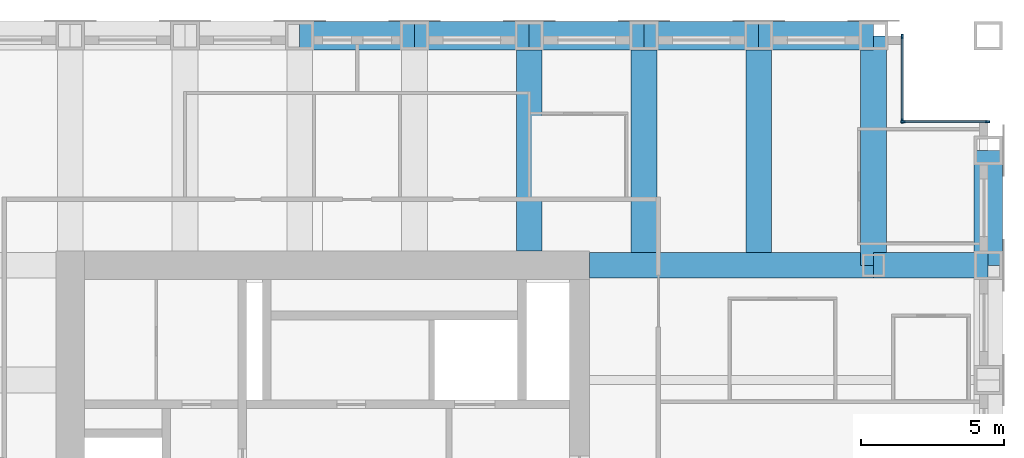
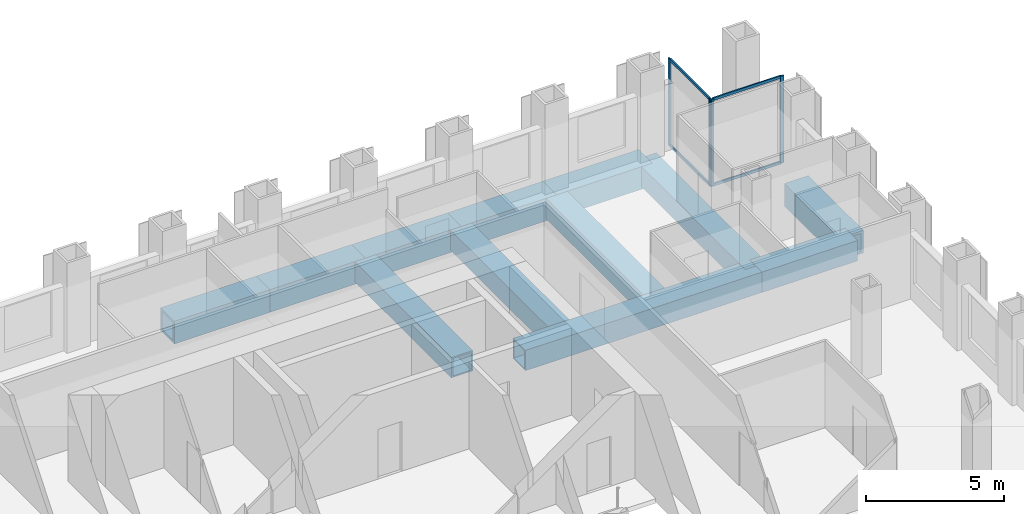
# One storey, part 6 of 13: 12 beams, 8 members, 2 elements without a shape of their own.
"""IFC4 building model written with IfcOpenShell, lengths in metres."""

from ifc_helpers import new_model, si_unit, direction, frame, origin, origin_2d, place, context, subcontext, project, spatial, rectangle, hollow_rectangle, extrude, material, material_profile, profile_set, type_object, element, aggregate, save


model = new_model("IFC4")

# Units and contexts
model_context = context("Model", 3, precision=1e-05, world=origin(), true_north=direction((0.0, 1.0)))
body_context = subcontext(model_context, "Body", "Model", "MODEL_VIEW")
ifc_project = project(units=[si_unit("LENGTHUNIT", "METRE"), si_unit("AREAUNIT", "SQUARE_METRE"), si_unit("VOLUMEUNIT", "CUBIC_METRE"), si_unit("PLANEANGLEUNIT", "RADIAN"), si_unit("MASSUNIT", "GRAM", prefix="KILO")], contexts=[model_context])

# Site, building, storey
site_placement = place(None, origin())
site = spatial("IfcSite", under=ifc_project, at=site_placement, CompositionType="ELEMENT")
building_placement = place(site_placement, origin())
building = spatial("IfcBuilding", under=site, at=building_placement, Name="Rimbunsela Tower", CompositionType="ELEMENT")
storey_placement = place(building_placement, frame((0.0, 0.0, 254.199951171875)))
storey = spatial("IfcBuildingStorey", under=building, at=storey_placement, Name="L61", CompositionType="ELEMENT", Elevation=254.199951171875)

# Beams
ifc_material_1 = material(Name="Steel BJ 55 (fy 410 MPa)", Category="steel")
ifc_material_profile_1 = material_profile(ifc_material_1, hollow_rectangle(XDim=1.0, YDim=1.0, WallThickness=0.10009765625, at=origin_2d()), Name="BOX 1000x1000x100")
ifc_profile_set_1 = profile_set([ifc_material_profile_1], Name="Steel BJ 55 (fy 410 MPa)")
beam_type_1 = type_object("IfcBeamType", Name="Beam BOX 1000x1000x100", PredefinedType="BEAM", material=ifc_profile_set_1)
for number, where, z_axis, x_axis, name in (
    (1, (26.0, 44.0, -0.64990234375), (1.0, 0.0, 0.0), (0.0, 1.0, 0.0), "Beam B3 L61"),
    (2, (30.0, 44.0, -0.64990234375), (1.0, 0.0, 0.0), (0.0, 1.0, 0.0), "Beam B3 L61"),
    (3, (34.0, 44.0, -0.64990234375), (1.0, 0.0, 0.0), (0.0, 1.0, 0.0), "Beam B3 L61"),
    (4, (38.0, 44.0, -0.64990234375), (1.0, 0.0, 0.0), (0.0, 1.0, 0.0), "Beam B3 L61"),
    (5, (42.0, 44.0, -0.64990234375), (1.0, 0.0, 0.0), (0.0, 1.0, 0.0), "Beam B3 L61"),
    (6, (50.0, 36.0, -0.64990234375), (0.0, 1.0, 0.0), (-1.0, 0.0, 0.0), "Beam B3 L61"),
):
    element("IfcBeam", number, at=place(storey_placement, frame(where, z_axis=z_axis, x_axis=x_axis)), inside=storey, type_object=beam_type_1, Name=name, PredefinedType="BEAM", context=body_context, shape_type="SweptSolid", body=[
        extrude(hollow_rectangle(XDim=1.0, YDim=1.0, WallThickness=0.10009765625, at=origin_2d()), origin(), (0.0, 0.0, 1.0), 4.0),
    ])
ifc_material_2 = material(Name="Steel BJ 55 (fy 410 MPa)", Category="steel")
ifc_material_profile_2 = material_profile(ifc_material_2, hollow_rectangle(XDim=0.89990234375, YDim=0.89990234375, WallThickness=0.06005859375, at=origin_2d()), Name="BOX 900x900x60")
ifc_profile_set_2 = profile_set([ifc_material_profile_2], Name="Steel BJ 55 (fy 410 MPa)")
beam_type_2 = type_object("IfcBeamType", Name="Beam BOX 900x900x60", PredefinedType="BEAM", material=ifc_profile_set_2)
beam_1_placement = place(storey_placement, frame((34.0, 36.5, -0.599853515625), z_axis=(0.0, 1.0, 0.0), x_axis=(-1.0, 0.0, 0.0)))
element("IfcBeam", 7, at=beam_1_placement, inside=storey, type_object=beam_type_2, Name="Beam B1 L61", PredefinedType="BEAM", context=body_context, shape_type="SweptSolid", body=[
    extrude(hollow_rectangle(XDim=0.89990234375, YDim=0.89990234375, WallThickness=0.06005859375, at=origin_2d()), origin(), (0.0, 0.0, 1.0), 7.5),
])
beam_2_placement = place(storey_placement, frame((36.10009765625, 36.0, -0.599853515625), z_axis=(1.0, 0.0, 0.0), x_axis=(0.0, 1.0, 0.0)))
element("IfcBeam", 8, at=beam_2_placement, inside=storey, type_object=beam_type_2, Name="Beam B1 L61", PredefinedType="BEAM", context=body_context, shape_type="SweptSolid", body=[
    extrude(hollow_rectangle(XDim=0.89990234375, YDim=0.89990234375, WallThickness=0.06005859375, at=origin_2d()), origin(), (0.0, 0.0, 1.0), 9.89990234375),
])
for number, where, z_axis, x_axis, name in (
    (9, (38.0, 36.449951171875, -0.599853515625), (0.0, 1.0, 0.0), (-1.0, 0.0, 0.0), "Beam B1 L61"),
    (10, (42.0, 36.449951171875, -0.599853515625), (0.0, 1.0, 0.0), (-1.0, 0.0, 0.0), "Beam B1 L61"),
):
    element("IfcBeam", number, at=place(storey_placement, frame(where, z_axis=z_axis, x_axis=x_axis)), inside=storey, type_object=beam_type_2, Name=name, PredefinedType="BEAM", context=body_context, shape_type="SweptSolid", body=[
        extrude(hollow_rectangle(XDim=0.89990234375, YDim=0.89990234375, WallThickness=0.06005859375, at=origin_2d()), origin(), (0.0, 0.0, 1.0), 7.550048828125),
    ])
beam_3_placement = place(storey_placement, frame((46.0, 36.0, -0.599853515625), z_axis=(0.0, 1.0, 0.0), x_axis=(-1.0, 0.0, 0.0)))
element("IfcBeam", 11, at=beam_3_placement, inside=storey, type_object=beam_type_2, Name="Beam B1 L61", PredefinedType="BEAM", context=body_context, shape_type="SweptSolid", body=[
    extrude(hollow_rectangle(XDim=0.89990234375, YDim=0.89990234375, WallThickness=0.06005859375, at=origin_2d()), origin(), (0.0, 0.0, 1.0), 8.0),
])
beam_4_placement = place(storey_placement, frame((46.0, 36.0, -0.599853515625), z_axis=(1.0, 0.0, 0.0), x_axis=(0.0, 1.0, 0.0)))
element("IfcBeam", 12, at=beam_4_placement, inside=storey, type_object=beam_type_2, Name="Beam B1 L61", PredefinedType="BEAM", context=body_context, shape_type="SweptSolid", body=[
    extrude(hollow_rectangle(XDim=0.89990234375, YDim=0.89990234375, WallThickness=0.06005859375, at=origin_2d()), origin(), (0.0, 0.0, 1.0), 4.0),
])

# Curtain wall, members
ifc_material_3 = material(Name="Aluminium curtain wall", Category="aluminium")
curtain_wall_type = type_object("IfcCurtainWallType", Name="Corner glazing", PredefinedType="USERDEFINED", material=ifc_material_3)
curtain_wall_1_placement = place(storey_placement, origin())
curtain_wall_1 = element("IfcCurtainWall", 13, at=curtain_wall_1_placement, inside=storey, type_object=curtain_wall_type, Name="Corner glazing L61", ObjectType="CORNER GLAZING", PredefinedType="USERDEFINED")
ifc_material_4 = material(Name="Aluminium mullion", Category="aluminium")
ifc_material_profile_3 = material_profile(ifc_material_4, rectangle(XDim=0.06005859375, YDim=0.159912109375, at=origin_2d()), Name="Mullion 60x160")
ifc_profile_set_3 = profile_set([ifc_material_profile_3], Name="Aluminium mullion")
member_type_1 = type_object("IfcMemberType", Name="Curtain wall mullion 60x160", PredefinedType="MULLION", material=ifc_profile_set_3)
member_1_placement = place(storey_placement, frame((49.969970703125, 41.0, 0.0), z_axis=(0.0, 0.0, 1.0), x_axis=(0.0, -1.0, 0.0)))
member_1 = element("IfcMember", 14, at=member_1_placement, type_object=member_type_1, Name="CW5 mullion 1", PredefinedType="MULLION", context=body_context, shape_type="SweptSolid", body=[
    extrude(rectangle(XDim=0.06005859375, YDim=0.159912109375, at=origin_2d()), origin(), (0.0, 0.0, 1.0), 3.85009765625),
])
member_2_placement = place(storey_placement, frame((47.030029296875, 41.0, 0.0), z_axis=(0.0, 0.0, 1.0), x_axis=(0.0, -1.0, 0.0)))
member_2 = element("IfcMember", 15, at=member_2_placement, type_object=member_type_1, Name="CW5 mullion 2", PredefinedType="MULLION", context=body_context, shape_type="SweptSolid", body=[
    extrude(rectangle(XDim=0.06005859375, YDim=0.159912109375, at=origin_2d()), origin(), (0.0, 0.0, 1.0), 3.85009765625),
])

curtain_wall_2_placement = place(storey_placement, origin())
curtain_wall_2 = element("IfcCurtainWall", 16, at=curtain_wall_2_placement, inside=storey, type_object=curtain_wall_type, Name="Corner glazing L61", ObjectType="CORNER GLAZING", PredefinedType="USERDEFINED")
member_3_placement = place(storey_placement, frame((47.0, 41.030029296875, 0.0), z_axis=(0.0, 0.0, 1.0), x_axis=(-1.0, 0.0, 0.0)))
member_3 = element("IfcMember", 17, at=member_3_placement, type_object=member_type_1, Name="CW5 mullion 1", PredefinedType="MULLION", context=body_context, shape_type="SweptSolid", body=[
    extrude(rectangle(XDim=0.06005859375, YDim=0.159912109375, at=origin_2d()), origin(), (0.0, 0.0, 1.0), 3.85009765625),
])
member_4_placement = place(storey_placement, frame((47.0, 43.969970703125, 0.0), z_axis=(0.0, 0.0, 1.0), x_axis=(-1.0, 0.0, 0.0)))
member_4 = element("IfcMember", 18, at=member_4_placement, type_object=member_type_1, Name="CW5 mullion 2", PredefinedType="MULLION", context=body_context, shape_type="SweptSolid", body=[
    extrude(rectangle(XDim=0.06005859375, YDim=0.159912109375, at=origin_2d()), origin(), (0.0, 0.0, 1.0), 3.85009765625),
])

# Member
ifc_material_5 = material(Name="Aluminium transom", Category="aluminium")
ifc_material_profile_4 = material_profile(ifc_material_5, rectangle(XDim=0.06005859375, YDim=0.1201171875, at=origin_2d()), Name="Transom 60x120")
ifc_profile_set_4 = profile_set([ifc_material_profile_4], Name="Aluminium transom")
member_type_2 = type_object("IfcMemberType", Name="Curtain wall transom 60x120", PredefinedType="USERDEFINED", material=ifc_profile_set_4)
member_5_placement = place(storey_placement, frame((49.93994140625, 41.0, 0.030029296875), z_axis=(-1.0, 0.0, 0.0), x_axis=(0.0, -1.0, 0.0)))
member_5 = element("IfcMember", 19, at=member_5_placement, type_object=member_type_2, Name="CW5 transom 1.1", ObjectType="TRANSOM", PredefinedType="USERDEFINED", context=body_context, shape_type="SweptSolid", body=[
    extrude(rectangle(XDim=0.06005859375, YDim=0.1201171875, at=origin_2d()), origin(), (0.0, 0.0, 1.0), 2.8798828125),
])

member_6_placement = place(storey_placement, frame((49.93994140625, 41.0, 3.820068359375), z_axis=(-1.0, 0.0, 0.0), x_axis=(0.0, -1.0, 0.0)))
member_6 = element("IfcMember", 20, at=member_6_placement, type_object=member_type_2, Name="CW5 transom 1.2", ObjectType="TRANSOM", PredefinedType="USERDEFINED", context=body_context, shape_type="SweptSolid", body=[
    extrude(rectangle(XDim=0.06005859375, YDim=0.1201171875, at=origin_2d()), origin(), (0.0, 0.0, 1.0), 2.8798828125),
])

aggregate(curtain_wall_1, [member_1, member_2, member_5, member_6])

member_7_placement = place(storey_placement, frame((47.0, 41.06005859375, 0.030029296875), z_axis=(0.0, 1.0, 0.0), x_axis=(-1.0, 0.0, 0.0)))
member_7 = element("IfcMember", 21, at=member_7_placement, type_object=member_type_2, Name="CW5 transom 1.1", ObjectType="TRANSOM", PredefinedType="USERDEFINED", context=body_context, shape_type="SweptSolid", body=[
    extrude(rectangle(XDim=0.06005859375, YDim=0.1201171875, at=origin_2d()), origin(), (0.0, 0.0, 1.0), 2.8798828125),
])

member_8_placement = place(storey_placement, frame((47.0, 41.06005859375, 3.820068359375), z_axis=(0.0, 1.0, 0.0), x_axis=(-1.0, 0.0, 0.0)))
member_8 = element("IfcMember", 22, at=member_8_placement, type_object=member_type_2, Name="CW5 transom 1.2", ObjectType="TRANSOM", PredefinedType="USERDEFINED", context=body_context, shape_type="SweptSolid", body=[
    extrude(rectangle(XDim=0.06005859375, YDim=0.1201171875, at=origin_2d()), origin(), (0.0, 0.0, 1.0), 2.8798828125),
])

aggregate(curtain_wall_2, [member_3, member_4, member_7, member_8])

save(model, "model.ifc")
